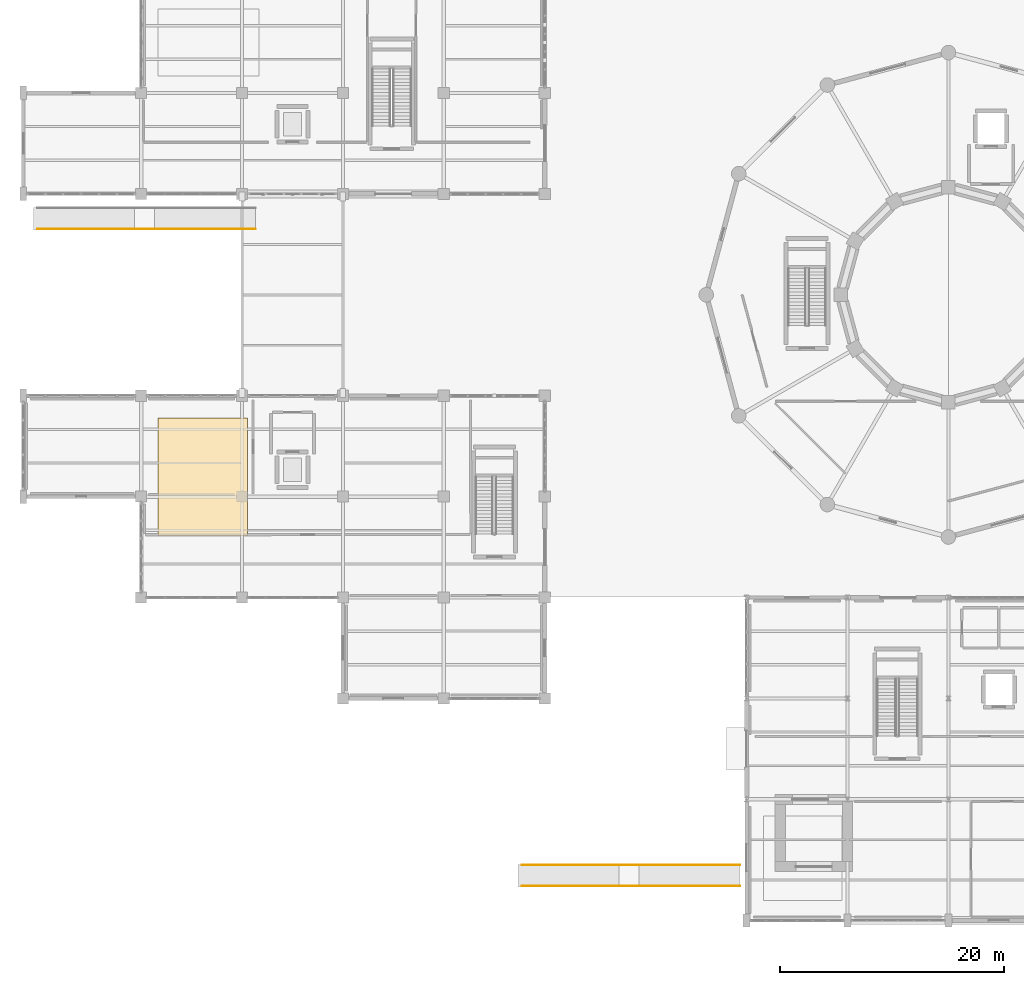
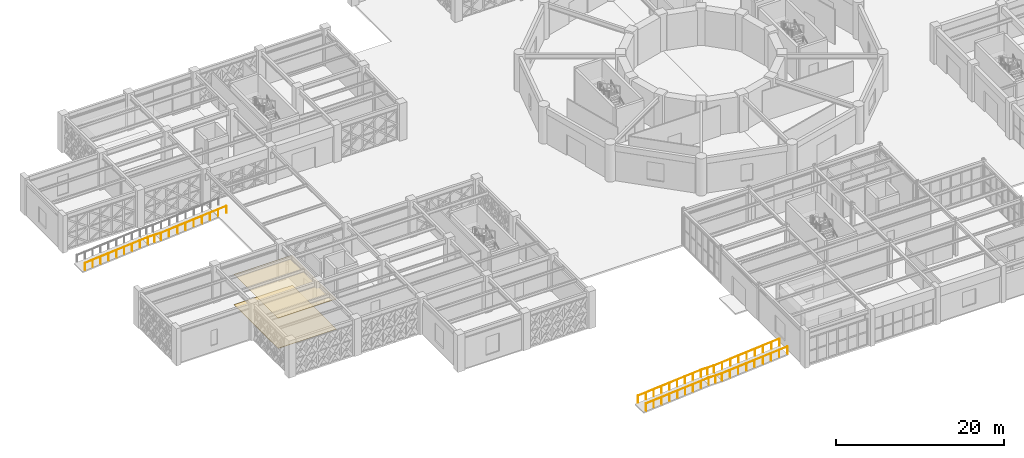
# One storey, part 127 of 140: 3 railings, 2 coverings.
"""IFC4 building model written with IfcOpenShell, lengths in metres."""

from ifc_helpers import new_model, si_unit, direction, frame, origin, origin_2d, place, context, subcontext, project, spatial, polyline, circle, outline, extrude, material, layer, layer_set, type_object, element, save


model = new_model("IFC4")

# Units and contexts
model_context = context("Model", 3, precision=1e-05, world=origin(), true_north=direction((0.0, 1.0)))
body_context = subcontext(model_context, "Body", "Model", "MODEL_VIEW")
ifc_project = project(units=[si_unit("LENGTHUNIT", "METRE"), si_unit("AREAUNIT", "SQUARE_METRE"), si_unit("VOLUMEUNIT", "CUBIC_METRE"), si_unit("PLANEANGLEUNIT", "RADIAN"), si_unit("MASSUNIT", "GRAM", prefix="KILO")], contexts=[model_context])

# Site, building, storey
site_placement = place(None, origin())
site = spatial("IfcSite", under=ifc_project, at=site_placement, CompositionType="ELEMENT")
building_placement = place(site_placement, origin())
building = spatial("IfcBuilding", under=site, at=building_placement, Name="Haizhuo Lancet Aquarium", CompositionType="ELEMENT")
storey_placement = place(building_placement, origin())
storey = spatial("IfcBuildingStorey", under=building, at=storey_placement, Name="L00", CompositionType="ELEMENT", Elevation=0.0)

# Coverings
ifc_material_1 = material(Name="Acoustic Mineral Fibre Board")
ifc_layer_1 = layer(ifc_material_1, 0.02490234375)
ifc_layer_set_1 = layer_set([ifc_layer_1], Name="Acoustic Mineral Fibre Board")
covering_type_1 = type_object("IfcCoveringType", Name="COV-CLG-ACU", PredefinedType="CEILING", material=ifc_layer_set_1)
covering_1_placement = place(storey_placement, frame((0.0, 0.0, 4.39501953125)))
element("IfcCovering", 1, at=covering_1_placement, inside=storey, type_object=covering_type_1, Name="L00 V6 acoustic suspended ceiling 5", PredefinedType="CEILING", context=body_context, shape_type="SweptSolid", body=[
    extrude(outline(polyline([(-70.5, -21.5), (-62.5, -21.5), (-62.5, -11.0), (-70.5, -11.0), (-70.5, -21.5)])), origin(), (0.0, 0.0, 1.0), 0.02490234375),
])
ifc_material_2 = material(Name="Shandong Grey Limestone Ashlar", Category="masonry")
ifc_layer_2 = layer(ifc_material_2, 0.030029296875)
ifc_layer_set_2 = layer_set([ifc_layer_2], Name="Shandong Grey Limestone Ashlar")
covering_type_2 = type_object("IfcCoveringType", Name="COV-FLR-STN", PredefinedType="FLOORING", material=ifc_layer_set_2)
covering_2_placement = place(storey_placement, origin())
element("IfcCovering", 2, at=covering_2_placement, inside=storey, type_object=covering_type_2, Name="L00 V6 limestone floor finish 5", PredefinedType="FLOORING", context=body_context, shape_type="SweptSolid", body=[
    extrude(outline(polyline([(-70.5, -21.5), (-62.5, -21.5), (-62.5, -11.0), (-70.5, -11.0), (-70.5, -21.5)])), origin(), (0.0, 0.0, 1.0), 0.030029296875),
])

# Railings
ifc_material_3 = material(Name="Steel S355", Category="steel")
railing_type = type_object("IfcRailingType", Name="RL-GRD-1150", PredefinedType="GUARDRAIL", material=ifc_material_3)
railing_1_placement = place(storey_placement, frame((-81.239990234375, 5.860107421875, -1.469970703125)))
element("IfcRailing", 3, at=railing_1_placement, inside=storey, type_object=railing_type, material=ifc_material_3, Name="West Avenue Accessible Plinth Ramp RMP-01 edge rail 1", PredefinedType="GUARDRAIL", context=body_context, shape_type="SweptSolid", body=[
    extrude(circle(Radius=0.02392578125, at=origin_2d()), frame((0.02978515625, 0.0, 1.07861328125), z_axis=(0.996545952447, 0.0, 0.08304314939), x_axis=(0.0, 1.0, 0.0)), (0.0, 0.0, 1.0), 8.60986328125),
    extrude(circle(Radius=0.02392578125, at=origin_2d()), frame((8.669921875, 0.0, 1.7958984375), z_axis=(1.0, 0.0, 0.0), x_axis=(0.0, 1.0, 0.0)), (0.0, 0.0, 1.0), 1.739990234375),
    extrude(circle(Radius=0.02392578125, at=origin_2d()), frame((10.4697265625, 0.0, 1.798583984375), z_axis=(0.996545758245, 0.0, 0.083045479854), x_axis=(0.0, 1.0, 0.0)), (0.0, 0.0, 1.0), 8.97119140625),
    extrude(circle(Radius=0.02099609375, at=origin_2d()), origin(), (0.0, 0.0, 1.0), 1.048095703125),
    extrude(circle(Radius=0.02099609375, at=origin_2d()), frame((1.080078125, 0.0, 0.090087890625)), (0.0, 0.0, 1.0), 1.048095703125),
    extrude(circle(Radius=0.02099609375, at=origin_2d()), frame((2.159912109375, 0.0, 0.179931640625)), (0.0, 0.0, 1.0), 1.048095703125),
    extrude(circle(Radius=0.02099609375, at=origin_2d()), frame((3.239990234375, 0.0, 0.27001953125)), (0.0, 0.0, 1.0), 1.048095703125),
    extrude(circle(Radius=0.02099609375, at=origin_2d()), frame((4.31982421875, 0.0, 0.35986328125)), (0.0, 0.0, 1.0), 1.048095703125),
    extrude(circle(Radius=0.02099609375, at=origin_2d()), frame((5.39990234375, 0.0, 0.449951171875)), (0.0, 0.0, 1.0), 1.048095703125),
    extrude(circle(Radius=0.02099609375, at=origin_2d()), frame((6.47998046875, 0.0, 0.5400390625)), (0.0, 0.0, 1.0), 1.048095703125),
    extrude(circle(Radius=0.02099609375, at=origin_2d()), frame((7.559814453125, 0.0, 0.6298828125)), (0.0, 0.0, 1.0), 1.048095703125),
    extrude(circle(Radius=0.02099609375, at=origin_2d()), frame((8.639892578125, 0.0, 0.719970703125)), (0.0, 0.0, 1.0), 1.048095703125),
    extrude(circle(Radius=0.02099609375, at=origin_2d()), frame((9.5400390625, 0.0, 0.719970703125)), (0.0, 0.0, 1.0), 1.048095703125),
    extrude(circle(Radius=0.02099609375, at=origin_2d()), frame((10.43994140625, 0.0, 0.719970703125)), (0.0, 0.0, 1.0), 1.048095703125),
    extrude(circle(Radius=0.02099609375, at=origin_2d()), frame((11.56494140625, 0.0, 0.813720703125)), (0.0, 0.0, 1.0), 1.048095703125),
    extrude(circle(Radius=0.02099609375, at=origin_2d()), frame((12.68994140625, 0.0, 0.907470703125)), (0.0, 0.0, 1.0), 1.048095703125),
    extrude(circle(Radius=0.02099609375, at=origin_2d()), frame((13.81494140625, 0.0, 1.001220703125)), (0.0, 0.0, 1.0), 1.048095703125),
    extrude(circle(Radius=0.02099609375, at=origin_2d()), frame((14.93994140625, 0.0, 1.094970703125)), (0.0, 0.0, 1.0), 1.048095703125),
    extrude(circle(Radius=0.02099609375, at=origin_2d()), frame((16.06494140625, 0.0, 1.188720703125)), (0.0, 0.0, 1.0), 1.048095703125),
    extrude(circle(Radius=0.02099609375, at=origin_2d()), frame((17.18994140625, 0.0, 1.282470703125)), (0.0, 0.0, 1.0), 1.048095703125),
    extrude(circle(Radius=0.02099609375, at=origin_2d()), frame((18.31494140625, 0.0, 1.376220703125)), (0.0, 0.0, 1.0), 1.048095703125),
    extrude(circle(Radius=0.02099609375, at=origin_2d()), frame((19.43994140625, 0.0, 1.469970703125)), (0.0, 0.0, 1.0), 1.048095703125),
])
railing_2_placement = place(storey_placement, frame((-38.0400390625, -52.739990234375, -1.469970703125)))
element("IfcRailing", 4, at=railing_2_placement, inside=storey, type_object=railing_type, material=ifc_material_3, Name="South Forecourt Accessible Plinth Ramp RMP-03 edge rail 1", PredefinedType="GUARDRAIL", context=body_context, shape_type="SweptSolid", body=[
    extrude(circle(Radius=0.02392578125, at=origin_2d()), frame((0.02978515625, 0.0, 1.07861328125), z_axis=(0.996546146634, 0.0, 0.083040819057), x_axis=(0.0, 1.0, 0.0)), (0.0, 0.0, 1.0), 8.610107421875),
    extrude(circle(Radius=0.02392578125, at=origin_2d()), frame((8.670166015625, 0.0, 1.7958984375), z_axis=(1.0, 0.0, 0.0), x_axis=(0.0, 1.0, 0.0)), (0.0, 0.0, 1.0), 1.73974609375),
    extrude(circle(Radius=0.02392578125, at=origin_2d()), frame((10.4697265625, 0.0, 1.798583984375), z_axis=(0.996545758245, 0.0, 0.083045479854), x_axis=(0.0, 1.0, 0.0)), (0.0, 0.0, 1.0), 8.97119140625),
    extrude(circle(Radius=0.02099609375, at=origin_2d()), origin(), (0.0, 0.0, 1.0), 1.048095703125),
    extrude(circle(Radius=0.02099609375, at=origin_2d()), frame((1.080078125, 0.0, 0.090087890625)), (0.0, 0.0, 1.0), 1.048095703125),
    extrude(circle(Radius=0.02099609375, at=origin_2d()), frame((2.16015625, 0.0, 0.179931640625)), (0.0, 0.0, 1.0), 1.048095703125),
    extrude(circle(Radius=0.02099609375, at=origin_2d()), frame((3.239990234375, 0.0, 0.27001953125)), (0.0, 0.0, 1.0), 1.048095703125),
    extrude(circle(Radius=0.02099609375, at=origin_2d()), frame((4.320068359375, 0.0, 0.35986328125)), (0.0, 0.0, 1.0), 1.048095703125),
    extrude(circle(Radius=0.02099609375, at=origin_2d()), frame((5.400146484375, 0.0, 0.449951171875)), (0.0, 0.0, 1.0), 1.048095703125),
    extrude(circle(Radius=0.02099609375, at=origin_2d()), frame((6.47998046875, 0.0, 0.5400390625)), (0.0, 0.0, 1.0), 1.048095703125),
    extrude(circle(Radius=0.02099609375, at=origin_2d()), frame((7.56005859375, 0.0, 0.6298828125)), (0.0, 0.0, 1.0), 1.048095703125),
    extrude(circle(Radius=0.02099609375, at=origin_2d()), frame((8.64013671875, 0.0, 0.719970703125)), (0.0, 0.0, 1.0), 1.048095703125),
    extrude(circle(Radius=0.02099609375, at=origin_2d()), frame((9.5400390625, 0.0, 0.719970703125)), (0.0, 0.0, 1.0), 1.048095703125),
    extrude(circle(Radius=0.02099609375, at=origin_2d()), frame((10.43994140625, 0.0, 0.719970703125)), (0.0, 0.0, 1.0), 1.048095703125),
    extrude(circle(Radius=0.02099609375, at=origin_2d()), frame((11.56494140625, 0.0, 0.813720703125)), (0.0, 0.0, 1.0), 1.048095703125),
    extrude(circle(Radius=0.02099609375, at=origin_2d()), frame((12.68994140625, 0.0, 0.907470703125)), (0.0, 0.0, 1.0), 1.048095703125),
    extrude(circle(Radius=0.02099609375, at=origin_2d()), frame((13.81494140625, 0.0, 1.001220703125)), (0.0, 0.0, 1.0), 1.048095703125),
    extrude(circle(Radius=0.02099609375, at=origin_2d()), frame((14.93994140625, 0.0, 1.094970703125)), (0.0, 0.0, 1.0), 1.048095703125),
    extrude(circle(Radius=0.02099609375, at=origin_2d()), frame((16.06494140625, 0.0, 1.188720703125)), (0.0, 0.0, 1.0), 1.048095703125),
    extrude(circle(Radius=0.02099609375, at=origin_2d()), frame((17.18994140625, 0.0, 1.282470703125)), (0.0, 0.0, 1.0), 1.048095703125),
    extrude(circle(Radius=0.02099609375, at=origin_2d()), frame((18.31494140625, 0.0, 1.376220703125)), (0.0, 0.0, 1.0), 1.048095703125),
    extrude(circle(Radius=0.02099609375, at=origin_2d()), frame((19.43994140625, 0.0, 1.469970703125)), (0.0, 0.0, 1.0), 1.048095703125),
])
railing_3_placement = place(storey_placement, frame((-38.0400390625, -50.860107421875, -1.469970703125)))
element("IfcRailing", 5, at=railing_3_placement, inside=storey, type_object=railing_type, material=ifc_material_3, Name="South Forecourt Accessible Plinth Ramp RMP-03 edge rail 2", PredefinedType="GUARDRAIL", context=body_context, shape_type="SweptSolid", body=[
    extrude(circle(Radius=0.02392578125, at=origin_2d()), frame((0.02978515625, 0.0, 1.07861328125), z_axis=(0.996546146634, 0.0, 0.083040819057), x_axis=(0.0, 1.0, 0.0)), (0.0, 0.0, 1.0), 8.610107421875),
    extrude(circle(Radius=0.02392578125, at=origin_2d()), frame((8.670166015625, 0.0, 1.7958984375), z_axis=(1.0, 0.0, 0.0), x_axis=(0.0, 1.0, 0.0)), (0.0, 0.0, 1.0), 1.73974609375),
    extrude(circle(Radius=0.02392578125, at=origin_2d()), frame((10.4697265625, 0.0, 1.798583984375), z_axis=(0.996545758245, 0.0, 0.083045479854), x_axis=(0.0, 1.0, 0.0)), (0.0, 0.0, 1.0), 8.97119140625),
    extrude(circle(Radius=0.02099609375, at=origin_2d()), origin(), (0.0, 0.0, 1.0), 1.048095703125),
    extrude(circle(Radius=0.02099609375, at=origin_2d()), frame((1.080078125, 0.0, 0.090087890625)), (0.0, 0.0, 1.0), 1.048095703125),
    extrude(circle(Radius=0.02099609375, at=origin_2d()), frame((2.16015625, 0.0, 0.179931640625)), (0.0, 0.0, 1.0), 1.048095703125),
    extrude(circle(Radius=0.02099609375, at=origin_2d()), frame((3.239990234375, 0.0, 0.27001953125)), (0.0, 0.0, 1.0), 1.048095703125),
    extrude(circle(Radius=0.02099609375, at=origin_2d()), frame((4.320068359375, 0.0, 0.35986328125)), (0.0, 0.0, 1.0), 1.048095703125),
    extrude(circle(Radius=0.02099609375, at=origin_2d()), frame((5.400146484375, 0.0, 0.449951171875)), (0.0, 0.0, 1.0), 1.048095703125),
    extrude(circle(Radius=0.02099609375, at=origin_2d()), frame((6.47998046875, 0.0, 0.5400390625)), (0.0, 0.0, 1.0), 1.048095703125),
    extrude(circle(Radius=0.02099609375, at=origin_2d()), frame((7.56005859375, 0.0, 0.6298828125)), (0.0, 0.0, 1.0), 1.048095703125),
    extrude(circle(Radius=0.02099609375, at=origin_2d()), frame((8.64013671875, 0.0, 0.719970703125)), (0.0, 0.0, 1.0), 1.048095703125),
    extrude(circle(Radius=0.02099609375, at=origin_2d()), frame((9.5400390625, 0.0, 0.719970703125)), (0.0, 0.0, 1.0), 1.048095703125),
    extrude(circle(Radius=0.02099609375, at=origin_2d()), frame((10.43994140625, 0.0, 0.719970703125)), (0.0, 0.0, 1.0), 1.048095703125),
    extrude(circle(Radius=0.02099609375, at=origin_2d()), frame((11.56494140625, 0.0, 0.813720703125)), (0.0, 0.0, 1.0), 1.048095703125),
    extrude(circle(Radius=0.02099609375, at=origin_2d()), frame((12.68994140625, 0.0, 0.907470703125)), (0.0, 0.0, 1.0), 1.048095703125),
    extrude(circle(Radius=0.02099609375, at=origin_2d()), frame((13.81494140625, 0.0, 1.001220703125)), (0.0, 0.0, 1.0), 1.048095703125),
    extrude(circle(Radius=0.02099609375, at=origin_2d()), frame((14.93994140625, 0.0, 1.094970703125)), (0.0, 0.0, 1.0), 1.048095703125),
    extrude(circle(Radius=0.02099609375, at=origin_2d()), frame((16.06494140625, 0.0, 1.188720703125)), (0.0, 0.0, 1.0), 1.048095703125),
    extrude(circle(Radius=0.02099609375, at=origin_2d()), frame((17.18994140625, 0.0, 1.282470703125)), (0.0, 0.0, 1.0), 1.048095703125),
    extrude(circle(Radius=0.02099609375, at=origin_2d()), frame((18.31494140625, 0.0, 1.376220703125)), (0.0, 0.0, 1.0), 1.048095703125),
    extrude(circle(Radius=0.02099609375, at=origin_2d()), frame((19.43994140625, 0.0, 1.469970703125)), (0.0, 0.0, 1.0), 1.048095703125),
])

save(model, "model.ifc")
